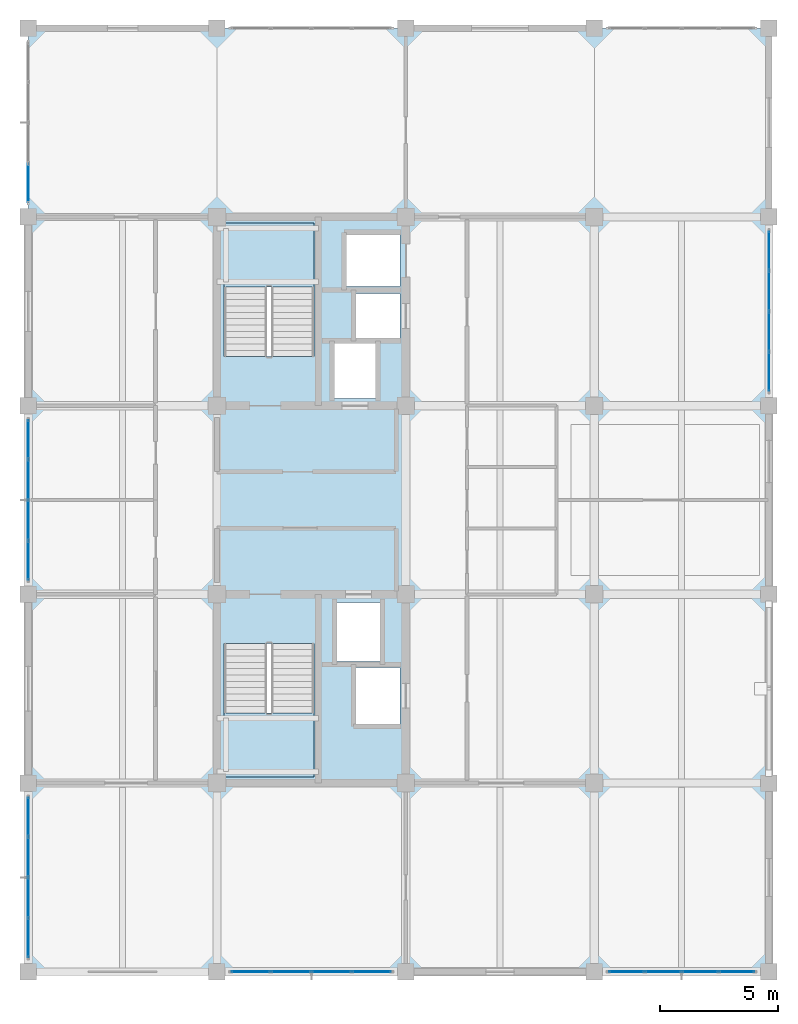
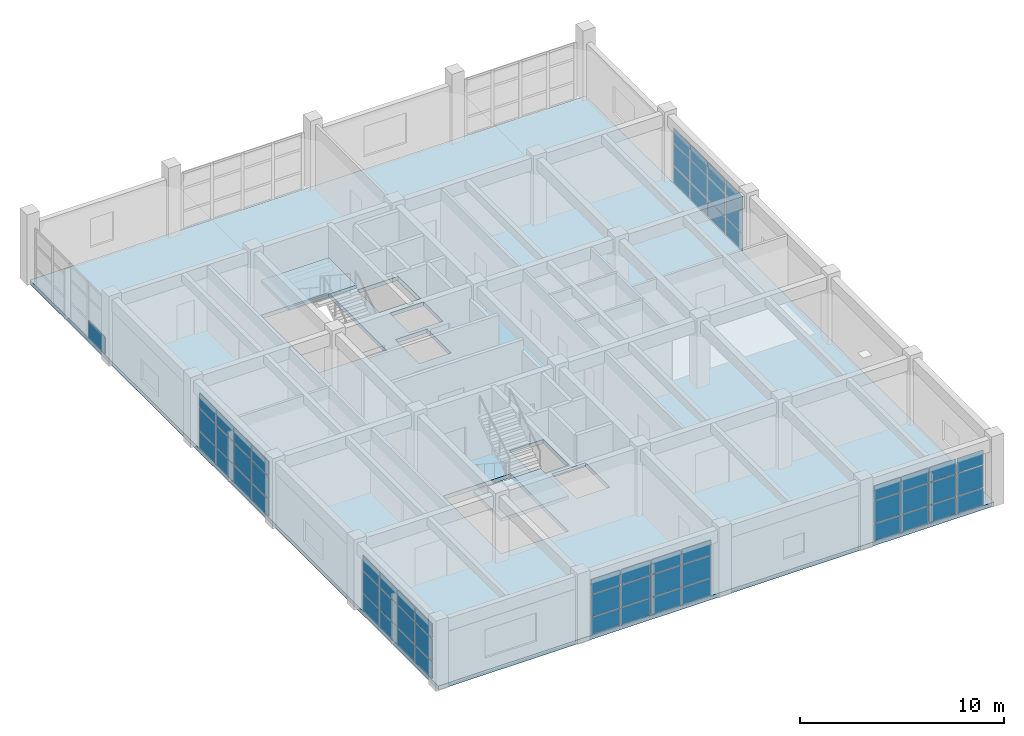
# One storey, part 13 of 19: 61 plates, 3 slabs, 8 elements without a shape of their own.
"""IFC4 building model written with IfcOpenShell, lengths in metres."""

from ifc_helpers import new_model, si_unit, direction, frame, origin, origin_2d, place, context, subcontext, project, spatial, polyline, rectangle, outline, extrude, material, layer, layer_set, type_object, element, aggregate, save


model = new_model("IFC4")

# Units and contexts
model_context = context("Model", 3, precision=1e-05, world=origin(), true_north=direction((0.0, 1.0)))
body_context = subcontext(model_context, "Body", "Model", "MODEL_VIEW")
ifc_project = project(units=[si_unit("LENGTHUNIT", "METRE"), si_unit("AREAUNIT", "SQUARE_METRE"), si_unit("VOLUMEUNIT", "CUBIC_METRE"), si_unit("PLANEANGLEUNIT", "RADIAN"), si_unit("MASSUNIT", "GRAM", prefix="KILO")], contexts=[model_context])

# Site, building, storey
site_placement = place(None, origin())
site = spatial("IfcSite", under=ifc_project, at=site_placement, CompositionType="ELEMENT")
building_placement = place(site_placement, origin())
building = spatial("IfcBuilding", under=site, at=building_placement, Name="Canggui Botanical Conservatory", CompositionType="ELEMENT")
storey_placement = place(building_placement, frame((0.0, 0.0, 44.39990234375)))
storey = spatial("IfcBuildingStorey", under=building, at=storey_placement, Name="L11", CompositionType="ELEMENT", Elevation=44.39990234375)

# Curtain wall, plates
ifc_material_1 = material(Name="Thermally Broken Aluminium", Category="aluminium")
ifc_layer_1 = layer(ifc_material_1, 0.1650390625, Name="Thermally Broken Aluminium", Category="aluminium")
ifc_layer_set_1 = layer_set([ifc_layer_1], Name="Thermally Broken Aluminium")
curtain_wall_type = type_object("IfcCurtainWallType", Name="CW-UNIT-B", PredefinedType="USERDEFINED", material=ifc_layer_set_1)
curtain_wall_1_placement = place(storey_placement, origin())
curtain_wall_1 = element("IfcCurtainWall", 1, at=curtain_wall_1_placement, inside=storey, type_object=curtain_wall_type, Name="Facade Curtain Wall CW-TWR-L11-01", ObjectType="UNITISED CURTAIN WALL", PredefinedType="USERDEFINED")
ifc_material_2 = material(Name="Low-E Insulated Glass", Category="glass")
ifc_layer_2 = layer(ifc_material_2, 0.030029296875, Name="Low-E Insulated Glass", Category="glass")
ifc_layer_set_2 = layer_set([ifc_layer_2], Name="Low-E Insulated Glass")
plate_type = type_object("IfcPlateType", Name="CWP-02", PredefinedType="CURTAIN_PANEL", material=ifc_layer_set_2)
plate_1_placement = place(storey_placement, frame((176.038818359375, 34.0, 0.06005859375), z_axis=(0.0, 0.0, 1.0), x_axis=(-1.0, 0.0, 0.0)))
plate_1 = element("IfcPlate", 2, at=plate_1_placement, type_object=plate_type, Name="CW-02 panel 1.1", PredefinedType="CURTAIN_PANEL", context=body_context, shape_type="SweptSolid", body=[
    extrude(rectangle(XDim=1.472412109375, YDim=0.030029296875, at=origin_2d()), origin(), (0.0, 0.0, 1.0), 0.998046875),
])
plate_2_placement = place(storey_placement, frame((176.038818359375, 34.0, 1.1181640625), z_axis=(0.0, 0.0, 1.0), x_axis=(-1.0, 0.0, 0.0)))
plate_2 = element("IfcPlate", 3, at=plate_2_placement, type_object=plate_type, Name="CW-02 panel 1.2", PredefinedType="CURTAIN_PANEL", context=body_context, shape_type="SweptSolid", body=[
    extrude(rectangle(XDim=1.472412109375, YDim=0.030029296875, at=origin_2d()), origin(), (0.0, 0.0, 1.0), 1.300048828125),
])
plate_3_placement = place(storey_placement, frame((176.038818359375, 34.0, 2.47802734375), z_axis=(0.0, 0.0, 1.0), x_axis=(-1.0, 0.0, 0.0)))
plate_3 = element("IfcPlate", 4, at=plate_3_placement, type_object=plate_type, Name="CW-02 panel 1.3", PredefinedType="CURTAIN_PANEL", context=body_context, shape_type="SweptSolid", body=[
    extrude(rectangle(XDim=1.472412109375, YDim=0.030029296875, at=origin_2d()), origin(), (0.0, 0.0, 1.0), 0.862060546875),
])
plate_4_placement = place(storey_placement, frame((174.485107421875, 34.0, 0.06005859375), z_axis=(0.0, 0.0, 1.0), x_axis=(-1.0, 0.0, 0.0)))
plate_4 = element("IfcPlate", 5, at=plate_4_placement, type_object=plate_type, Name="CW-02 panel 2.1", PredefinedType="CURTAIN_PANEL", context=body_context, shape_type="SweptSolid", body=[
    extrude(rectangle(XDim=1.5048828125, YDim=0.030029296875, at=origin_2d()), origin(), (0.0, 0.0, 1.0), 0.998046875),
])
plate_5_placement = place(storey_placement, frame((174.485107421875, 34.0, 1.1181640625), z_axis=(0.0, 0.0, 1.0), x_axis=(-1.0, 0.0, 0.0)))
plate_5 = element("IfcPlate", 6, at=plate_5_placement, type_object=plate_type, Name="CW-02 panel 2.2", PredefinedType="CURTAIN_PANEL", context=body_context, shape_type="SweptSolid", body=[
    extrude(rectangle(XDim=1.5048828125, YDim=0.030029296875, at=origin_2d()), origin(), (0.0, 0.0, 1.0), 1.300048828125),
])
plate_6_placement = place(storey_placement, frame((174.485107421875, 34.0, 2.47802734375), z_axis=(0.0, 0.0, 1.0), x_axis=(-1.0, 0.0, 0.0)))
plate_6 = element("IfcPlate", 7, at=plate_6_placement, type_object=plate_type, Name="CW-02 panel 2.3", PredefinedType="CURTAIN_PANEL", context=body_context, shape_type="SweptSolid", body=[
    extrude(rectangle(XDim=1.5048828125, YDim=0.030029296875, at=origin_2d()), origin(), (0.0, 0.0, 1.0), 0.862060546875),
])
plate_7_placement = place(storey_placement, frame((172.9150390625, 34.0, 0.06005859375), z_axis=(0.0, 0.0, 1.0), x_axis=(-1.0, 0.0, 0.0)))
plate_7 = element("IfcPlate", 8, at=plate_7_placement, type_object=plate_type, Name="CW-02 panel 3.1", PredefinedType="CURTAIN_PANEL", context=body_context, shape_type="SweptSolid", body=[
    extrude(rectangle(XDim=1.5048828125, YDim=0.030029296875, at=origin_2d()), origin(), (0.0, 0.0, 1.0), 0.998046875),
])
plate_8_placement = place(storey_placement, frame((172.9150390625, 34.0, 1.1181640625), z_axis=(0.0, 0.0, 1.0), x_axis=(-1.0, 0.0, 0.0)))
plate_8 = element("IfcPlate", 9, at=plate_8_placement, type_object=plate_type, Name="CW-02 panel 3.2", PredefinedType="CURTAIN_PANEL", context=body_context, shape_type="SweptSolid", body=[
    extrude(rectangle(XDim=1.5048828125, YDim=0.030029296875, at=origin_2d()), origin(), (0.0, 0.0, 1.0), 1.300048828125),
])
plate_9_placement = place(storey_placement, frame((172.9150390625, 34.0, 2.47802734375), z_axis=(0.0, 0.0, 1.0), x_axis=(-1.0, 0.0, 0.0)))
plate_9 = element("IfcPlate", 10, at=plate_9_placement, type_object=plate_type, Name="CW-02 panel 3.3", PredefinedType="CURTAIN_PANEL", context=body_context, shape_type="SweptSolid", body=[
    extrude(rectangle(XDim=1.5048828125, YDim=0.030029296875, at=origin_2d()), origin(), (0.0, 0.0, 1.0), 0.862060546875),
])
plate_10_placement = place(storey_placement, frame((171.361328125, 34.0, 0.06005859375), z_axis=(0.0, 0.0, 1.0), x_axis=(-1.0, 0.0, 0.0)))
plate_10 = element("IfcPlate", 11, at=plate_10_placement, type_object=plate_type, Name="CW-02 panel 4.1", PredefinedType="CURTAIN_PANEL", context=body_context, shape_type="SweptSolid", body=[
    extrude(rectangle(XDim=1.472412109375, YDim=0.030029296875, at=origin_2d()), origin(), (0.0, 0.0, 1.0), 0.998046875),
])
plate_11_placement = place(storey_placement, frame((171.361328125, 34.0, 1.1181640625), z_axis=(0.0, 0.0, 1.0), x_axis=(-1.0, 0.0, 0.0)))
plate_11 = element("IfcPlate", 12, at=plate_11_placement, type_object=plate_type, Name="CW-02 panel 4.2", PredefinedType="CURTAIN_PANEL", context=body_context, shape_type="SweptSolid", body=[
    extrude(rectangle(XDim=1.472412109375, YDim=0.030029296875, at=origin_2d()), origin(), (0.0, 0.0, 1.0), 1.300048828125),
])
plate_12_placement = place(storey_placement, frame((171.361328125, 34.0, 2.47802734375), z_axis=(0.0, 0.0, 1.0), x_axis=(-1.0, 0.0, 0.0)))
plate_12 = element("IfcPlate", 13, at=plate_12_placement, type_object=plate_type, Name="CW-02 panel 4.3", PredefinedType="CURTAIN_PANEL", context=body_context, shape_type="SweptSolid", body=[
    extrude(rectangle(XDim=1.472412109375, YDim=0.030029296875, at=origin_2d()), origin(), (0.0, 0.0, 1.0), 0.862060546875),
])
aggregate(curtain_wall_1, [plate_1, plate_2, plate_3, plate_4, plate_5, plate_6, plate_7, plate_8, plate_9, plate_10, plate_11, plate_12])

curtain_wall_2_placement = place(storey_placement, origin())
curtain_wall_2 = element("IfcCurtainWall", 14, at=curtain_wall_2_placement, inside=storey, type_object=curtain_wall_type, Name="Facade Curtain Wall CW-TWR-L11-03", ObjectType="UNITISED CURTAIN WALL", PredefinedType="USERDEFINED")
plate_13_placement = place(storey_placement, frame((160.563720703125, 34.0, 0.06005859375), z_axis=(0.0, 0.0, 1.0), x_axis=(-1.0, 0.0, 0.0)))
plate_13 = element("IfcPlate", 15, at=plate_13_placement, type_object=plate_type, Name="CW-02 panel 1.1", PredefinedType="CURTAIN_PANEL", context=body_context, shape_type="SweptSolid", body=[
    extrude(rectangle(XDim=1.62255859375, YDim=0.030029296875, at=origin_2d()), origin(), (0.0, 0.0, 1.0), 0.998046875),
])
plate_14_placement = place(storey_placement, frame((160.563720703125, 34.0, 1.1181640625), z_axis=(0.0, 0.0, 1.0), x_axis=(-1.0, 0.0, 0.0)))
plate_14 = element("IfcPlate", 16, at=plate_14_placement, type_object=plate_type, Name="CW-02 panel 1.2", PredefinedType="CURTAIN_PANEL", context=body_context, shape_type="SweptSolid", body=[
    extrude(rectangle(XDim=1.62255859375, YDim=0.030029296875, at=origin_2d()), origin(), (0.0, 0.0, 1.0), 1.300048828125),
])
plate_15_placement = place(storey_placement, frame((160.563720703125, 34.0, 2.47802734375), z_axis=(0.0, 0.0, 1.0), x_axis=(-1.0, 0.0, 0.0)))
plate_15 = element("IfcPlate", 17, at=plate_15_placement, type_object=plate_type, Name="CW-02 panel 1.3", PredefinedType="CURTAIN_PANEL", context=body_context, shape_type="SweptSolid", body=[
    extrude(rectangle(XDim=1.62255859375, YDim=0.030029296875, at=origin_2d()), origin(), (0.0, 0.0, 1.0), 0.862060546875),
])
plate_16_placement = place(storey_placement, frame((158.860107421875, 34.0, 0.06005859375), z_axis=(0.0, 0.0, 1.0), x_axis=(-1.0, 0.0, 0.0)))
plate_16 = element("IfcPlate", 18, at=plate_16_placement, type_object=plate_type, Name="CW-02 panel 2.1", PredefinedType="CURTAIN_PANEL", context=body_context, shape_type="SweptSolid", body=[
    extrude(rectangle(XDim=1.655029296875, YDim=0.030029296875, at=origin_2d()), origin(), (0.0, 0.0, 1.0), 0.998046875),
])
plate_17_placement = place(storey_placement, frame((158.860107421875, 34.0, 1.1181640625), z_axis=(0.0, 0.0, 1.0), x_axis=(-1.0, 0.0, 0.0)))
plate_17 = element("IfcPlate", 19, at=plate_17_placement, type_object=plate_type, Name="CW-02 panel 2.2", PredefinedType="CURTAIN_PANEL", context=body_context, shape_type="SweptSolid", body=[
    extrude(rectangle(XDim=1.655029296875, YDim=0.030029296875, at=origin_2d()), origin(), (0.0, 0.0, 1.0), 1.300048828125),
])
plate_18_placement = place(storey_placement, frame((158.860107421875, 34.0, 2.47802734375), z_axis=(0.0, 0.0, 1.0), x_axis=(-1.0, 0.0, 0.0)))
plate_18 = element("IfcPlate", 20, at=plate_18_placement, type_object=plate_type, Name="CW-02 panel 2.3", PredefinedType="CURTAIN_PANEL", context=body_context, shape_type="SweptSolid", body=[
    extrude(rectangle(XDim=1.655029296875, YDim=0.030029296875, at=origin_2d()), origin(), (0.0, 0.0, 1.0), 0.862060546875),
])
plate_19_placement = place(storey_placement, frame((157.139892578125, 34.0, 0.06005859375), z_axis=(0.0, 0.0, 1.0), x_axis=(-1.0, 0.0, 0.0)))
plate_19 = element("IfcPlate", 21, at=plate_19_placement, type_object=plate_type, Name="CW-02 panel 3.1", PredefinedType="CURTAIN_PANEL", context=body_context, shape_type="SweptSolid", body=[
    extrude(rectangle(XDim=1.655029296875, YDim=0.030029296875, at=origin_2d()), origin(), (0.0, 0.0, 1.0), 0.998046875),
])
plate_20_placement = place(storey_placement, frame((157.139892578125, 34.0, 1.1181640625), z_axis=(0.0, 0.0, 1.0), x_axis=(-1.0, 0.0, 0.0)))
plate_20 = element("IfcPlate", 22, at=plate_20_placement, type_object=plate_type, Name="CW-02 panel 3.2", PredefinedType="CURTAIN_PANEL", context=body_context, shape_type="SweptSolid", body=[
    extrude(rectangle(XDim=1.655029296875, YDim=0.030029296875, at=origin_2d()), origin(), (0.0, 0.0, 1.0), 1.300048828125),
])
plate_21_placement = place(storey_placement, frame((157.139892578125, 34.0, 2.47802734375), z_axis=(0.0, 0.0, 1.0), x_axis=(-1.0, 0.0, 0.0)))
plate_21 = element("IfcPlate", 23, at=plate_21_placement, type_object=plate_type, Name="CW-02 panel 3.3", PredefinedType="CURTAIN_PANEL", context=body_context, shape_type="SweptSolid", body=[
    extrude(rectangle(XDim=1.655029296875, YDim=0.030029296875, at=origin_2d()), origin(), (0.0, 0.0, 1.0), 0.862060546875),
])
plate_22_placement = place(storey_placement, frame((155.436279296875, 34.0, 0.06005859375), z_axis=(0.0, 0.0, 1.0), x_axis=(-1.0, 0.0, 0.0)))
plate_22 = element("IfcPlate", 24, at=plate_22_placement, type_object=plate_type, Name="CW-02 panel 4.1", PredefinedType="CURTAIN_PANEL", context=body_context, shape_type="SweptSolid", body=[
    extrude(rectangle(XDim=1.62255859375, YDim=0.030029296875, at=origin_2d()), origin(), (0.0, 0.0, 1.0), 0.998046875),
])
plate_23_placement = place(storey_placement, frame((155.436279296875, 34.0, 1.1181640625), z_axis=(0.0, 0.0, 1.0), x_axis=(-1.0, 0.0, 0.0)))
plate_23 = element("IfcPlate", 25, at=plate_23_placement, type_object=plate_type, Name="CW-02 panel 4.2", PredefinedType="CURTAIN_PANEL", context=body_context, shape_type="SweptSolid", body=[
    extrude(rectangle(XDim=1.62255859375, YDim=0.030029296875, at=origin_2d()), origin(), (0.0, 0.0, 1.0), 1.300048828125),
])
plate_24_placement = place(storey_placement, frame((155.436279296875, 34.0, 2.47802734375), z_axis=(0.0, 0.0, 1.0), x_axis=(-1.0, 0.0, 0.0)))
plate_24 = element("IfcPlate", 26, at=plate_24_placement, type_object=plate_type, Name="CW-02 panel 4.3", PredefinedType="CURTAIN_PANEL", context=body_context, shape_type="SweptSolid", body=[
    extrude(rectangle(XDim=1.62255859375, YDim=0.030029296875, at=origin_2d()), origin(), (0.0, 0.0, 1.0), 0.862060546875),
])
aggregate(curtain_wall_2, [plate_13, plate_14, plate_15, plate_16, plate_17, plate_18, plate_19, plate_20, plate_21, plate_22, plate_23, plate_24])

curtain_wall_3_placement = place(storey_placement, origin())
curtain_wall_3 = element("IfcCurtainWall", 27, at=curtain_wall_3_placement, inside=storey, type_object=curtain_wall_type, Name="Facade Curtain Wall CW-TWR-L11-05", ObjectType="UNITISED CURTAIN WALL", PredefinedType="USERDEFINED")
plate_25_placement = place(storey_placement, frame((146.0, 35.436279296875, 0.06005859375), z_axis=(0.0, 0.0, 1.0), x_axis=(0.0, 1.0, 0.0)))
plate_25 = element("IfcPlate", 28, at=plate_25_placement, type_object=plate_type, Name="CW-02 panel 1.1", PredefinedType="CURTAIN_PANEL", context=body_context, shape_type="SweptSolid", body=[
    extrude(rectangle(XDim=1.62255859375, YDim=0.030029296875, at=origin_2d()), origin(), (0.0, 0.0, 1.0), 0.998046875),
])
plate_26_placement = place(storey_placement, frame((146.0, 35.436279296875, 1.1181640625), z_axis=(0.0, 0.0, 1.0), x_axis=(0.0, 1.0, 0.0)))
plate_26 = element("IfcPlate", 29, at=plate_26_placement, type_object=plate_type, Name="CW-02 panel 1.2", PredefinedType="CURTAIN_PANEL", context=body_context, shape_type="SweptSolid", body=[
    extrude(rectangle(XDim=1.62255859375, YDim=0.030029296875, at=origin_2d()), origin(), (0.0, 0.0, 1.0), 1.300048828125),
])
plate_27_placement = place(storey_placement, frame((146.0, 35.436279296875, 2.47802734375), z_axis=(0.0, 0.0, 1.0), x_axis=(0.0, 1.0, 0.0)))
plate_27 = element("IfcPlate", 30, at=plate_27_placement, type_object=plate_type, Name="CW-02 panel 1.3", PredefinedType="CURTAIN_PANEL", context=body_context, shape_type="SweptSolid", body=[
    extrude(rectangle(XDim=1.62255859375, YDim=0.030029296875, at=origin_2d()), origin(), (0.0, 0.0, 1.0), 0.862060546875),
])
plate_28_placement = place(storey_placement, frame((146.0, 37.139892578125, 0.06005859375), z_axis=(0.0, 0.0, 1.0), x_axis=(0.0, 1.0, 0.0)))
plate_28 = element("IfcPlate", 31, at=plate_28_placement, type_object=plate_type, Name="CW-02 panel 2.1", PredefinedType="CURTAIN_PANEL", context=body_context, shape_type="SweptSolid", body=[
    extrude(rectangle(XDim=1.655029296875, YDim=0.030029296875, at=origin_2d()), origin(), (0.0, 0.0, 1.0), 0.998046875),
])
plate_29_placement = place(storey_placement, frame((146.0, 37.139892578125, 1.1181640625), z_axis=(0.0, 0.0, 1.0), x_axis=(0.0, 1.0, 0.0)))
plate_29 = element("IfcPlate", 32, at=plate_29_placement, type_object=plate_type, Name="CW-02 panel 2.2", PredefinedType="CURTAIN_PANEL", context=body_context, shape_type="SweptSolid", body=[
    extrude(rectangle(XDim=1.655029296875, YDim=0.030029296875, at=origin_2d()), origin(), (0.0, 0.0, 1.0), 1.300048828125),
])
plate_30_placement = place(storey_placement, frame((146.0, 37.139892578125, 2.47802734375), z_axis=(0.0, 0.0, 1.0), x_axis=(0.0, 1.0, 0.0)))
plate_30 = element("IfcPlate", 33, at=plate_30_placement, type_object=plate_type, Name="CW-02 panel 2.3", PredefinedType="CURTAIN_PANEL", context=body_context, shape_type="SweptSolid", body=[
    extrude(rectangle(XDim=1.655029296875, YDim=0.030029296875, at=origin_2d()), origin(), (0.0, 0.0, 1.0), 0.862060546875),
])
plate_31_placement = place(storey_placement, frame((146.0, 38.860107421875, 0.06005859375), z_axis=(0.0, 0.0, 1.0), x_axis=(0.0, 1.0, 0.0)))
plate_31 = element("IfcPlate", 34, at=plate_31_placement, type_object=plate_type, Name="CW-02 panel 3.1", PredefinedType="CURTAIN_PANEL", context=body_context, shape_type="SweptSolid", body=[
    extrude(rectangle(XDim=1.655029296875, YDim=0.030029296875, at=origin_2d()), origin(), (0.0, 0.0, 1.0), 0.998046875),
])
plate_32_placement = place(storey_placement, frame((146.0, 38.860107421875, 1.1181640625), z_axis=(0.0, 0.0, 1.0), x_axis=(0.0, 1.0, 0.0)))
plate_32 = element("IfcPlate", 35, at=plate_32_placement, type_object=plate_type, Name="CW-02 panel 3.2", PredefinedType="CURTAIN_PANEL", context=body_context, shape_type="SweptSolid", body=[
    extrude(rectangle(XDim=1.655029296875, YDim=0.030029296875, at=origin_2d()), origin(), (0.0, 0.0, 1.0), 1.300048828125),
])
plate_33_placement = place(storey_placement, frame((146.0, 38.860107421875, 2.47802734375), z_axis=(0.0, 0.0, 1.0), x_axis=(0.0, 1.0, 0.0)))
plate_33 = element("IfcPlate", 36, at=plate_33_placement, type_object=plate_type, Name="CW-02 panel 3.3", PredefinedType="CURTAIN_PANEL", context=body_context, shape_type="SweptSolid", body=[
    extrude(rectangle(XDim=1.655029296875, YDim=0.030029296875, at=origin_2d()), origin(), (0.0, 0.0, 1.0), 0.862060546875),
])
plate_34_placement = place(storey_placement, frame((146.0, 40.563720703125, 0.06005859375), z_axis=(0.0, 0.0, 1.0), x_axis=(0.0, 1.0, 0.0)))
plate_34 = element("IfcPlate", 37, at=plate_34_placement, type_object=plate_type, Name="CW-02 panel 4.1", PredefinedType="CURTAIN_PANEL", context=body_context, shape_type="SweptSolid", body=[
    extrude(rectangle(XDim=1.62255859375, YDim=0.030029296875, at=origin_2d()), origin(), (0.0, 0.0, 1.0), 0.998046875),
])
plate_35_placement = place(storey_placement, frame((146.0, 40.563720703125, 1.1181640625), z_axis=(0.0, 0.0, 1.0), x_axis=(0.0, 1.0, 0.0)))
plate_35 = element("IfcPlate", 38, at=plate_35_placement, type_object=plate_type, Name="CW-02 panel 4.2", PredefinedType="CURTAIN_PANEL", context=body_context, shape_type="SweptSolid", body=[
    extrude(rectangle(XDim=1.62255859375, YDim=0.030029296875, at=origin_2d()), origin(), (0.0, 0.0, 1.0), 1.300048828125),
])
plate_36_placement = place(storey_placement, frame((146.0, 40.563720703125, 2.47802734375), z_axis=(0.0, 0.0, 1.0), x_axis=(0.0, 1.0, 0.0)))
plate_36 = element("IfcPlate", 39, at=plate_36_placement, type_object=plate_type, Name="CW-02 panel 4.3", PredefinedType="CURTAIN_PANEL", context=body_context, shape_type="SweptSolid", body=[
    extrude(rectangle(XDim=1.62255859375, YDim=0.030029296875, at=origin_2d()), origin(), (0.0, 0.0, 1.0), 0.862060546875),
])
aggregate(curtain_wall_3, [plate_25, plate_26, plate_27, plate_28, plate_29, plate_30, plate_31, plate_32, plate_33, plate_34, plate_35, plate_36])

curtain_wall_4_placement = place(storey_placement, origin())
curtain_wall_4 = element("IfcCurtainWall", 40, at=curtain_wall_4_placement, inside=storey, type_object=curtain_wall_type, Name="Facade Curtain Wall CW-TWR-L11-07", ObjectType="UNITISED CURTAIN WALL", PredefinedType="USERDEFINED")
plate_37_placement = place(storey_placement, frame((146.0, 51.436279296875, 0.06005859375), z_axis=(0.0, 0.0, 1.0), x_axis=(0.0, 1.0, 0.0)))
plate_37 = element("IfcPlate", 41, at=plate_37_placement, type_object=plate_type, Name="CW-02 panel 1.1", PredefinedType="CURTAIN_PANEL", context=body_context, shape_type="SweptSolid", body=[
    extrude(rectangle(XDim=1.62255859375, YDim=0.030029296875, at=origin_2d()), origin(), (0.0, 0.0, 1.0), 0.998046875),
])
plate_38_placement = place(storey_placement, frame((146.0, 51.436279296875, 1.1181640625), z_axis=(0.0, 0.0, 1.0), x_axis=(0.0, 1.0, 0.0)))
plate_38 = element("IfcPlate", 42, at=plate_38_placement, type_object=plate_type, Name="CW-02 panel 1.2", PredefinedType="CURTAIN_PANEL", context=body_context, shape_type="SweptSolid", body=[
    extrude(rectangle(XDim=1.62255859375, YDim=0.030029296875, at=origin_2d()), origin(), (0.0, 0.0, 1.0), 1.300048828125),
])
plate_39_placement = place(storey_placement, frame((146.0, 51.436279296875, 2.47802734375), z_axis=(0.0, 0.0, 1.0), x_axis=(0.0, 1.0, 0.0)))
plate_39 = element("IfcPlate", 43, at=plate_39_placement, type_object=plate_type, Name="CW-02 panel 1.3", PredefinedType="CURTAIN_PANEL", context=body_context, shape_type="SweptSolid", body=[
    extrude(rectangle(XDim=1.62255859375, YDim=0.030029296875, at=origin_2d()), origin(), (0.0, 0.0, 1.0), 0.862060546875),
])
plate_40_placement = place(storey_placement, frame((146.0, 53.139892578125, 0.06005859375), z_axis=(0.0, 0.0, 1.0), x_axis=(0.0, 1.0, 0.0)))
plate_40 = element("IfcPlate", 44, at=plate_40_placement, type_object=plate_type, Name="CW-02 panel 2.1", PredefinedType="CURTAIN_PANEL", context=body_context, shape_type="SweptSolid", body=[
    extrude(rectangle(XDim=1.655029296875, YDim=0.030029296875, at=origin_2d()), origin(), (0.0, 0.0, 1.0), 0.998046875),
])
plate_41_placement = place(storey_placement, frame((146.0, 53.139892578125, 1.1181640625), z_axis=(0.0, 0.0, 1.0), x_axis=(0.0, 1.0, 0.0)))
plate_41 = element("IfcPlate", 45, at=plate_41_placement, type_object=plate_type, Name="CW-02 panel 2.2", PredefinedType="CURTAIN_PANEL", context=body_context, shape_type="SweptSolid", body=[
    extrude(rectangle(XDim=1.655029296875, YDim=0.030029296875, at=origin_2d()), origin(), (0.0, 0.0, 1.0), 1.300048828125),
])
plate_42_placement = place(storey_placement, frame((146.0, 53.139892578125, 2.47802734375), z_axis=(0.0, 0.0, 1.0), x_axis=(0.0, 1.0, 0.0)))
plate_42 = element("IfcPlate", 46, at=plate_42_placement, type_object=plate_type, Name="CW-02 panel 2.3", PredefinedType="CURTAIN_PANEL", context=body_context, shape_type="SweptSolid", body=[
    extrude(rectangle(XDim=1.655029296875, YDim=0.030029296875, at=origin_2d()), origin(), (0.0, 0.0, 1.0), 0.862060546875),
])
plate_43_placement = place(storey_placement, frame((146.0, 54.860107421875, 0.06005859375), z_axis=(0.0, 0.0, 1.0), x_axis=(0.0, 1.0, 0.0)))
plate_43 = element("IfcPlate", 47, at=plate_43_placement, type_object=plate_type, Name="CW-02 panel 3.1", PredefinedType="CURTAIN_PANEL", context=body_context, shape_type="SweptSolid", body=[
    extrude(rectangle(XDim=1.655029296875, YDim=0.030029296875, at=origin_2d()), origin(), (0.0, 0.0, 1.0), 0.998046875),
])
plate_44_placement = place(storey_placement, frame((146.0, 54.860107421875, 1.1181640625), z_axis=(0.0, 0.0, 1.0), x_axis=(0.0, 1.0, 0.0)))
plate_44 = element("IfcPlate", 48, at=plate_44_placement, type_object=plate_type, Name="CW-02 panel 3.2", PredefinedType="CURTAIN_PANEL", context=body_context, shape_type="SweptSolid", body=[
    extrude(rectangle(XDim=1.655029296875, YDim=0.030029296875, at=origin_2d()), origin(), (0.0, 0.0, 1.0), 1.300048828125),
])
plate_45_placement = place(storey_placement, frame((146.0, 54.860107421875, 2.47802734375), z_axis=(0.0, 0.0, 1.0), x_axis=(0.0, 1.0, 0.0)))
plate_45 = element("IfcPlate", 49, at=plate_45_placement, type_object=plate_type, Name="CW-02 panel 3.3", PredefinedType="CURTAIN_PANEL", context=body_context, shape_type="SweptSolid", body=[
    extrude(rectangle(XDim=1.655029296875, YDim=0.030029296875, at=origin_2d()), origin(), (0.0, 0.0, 1.0), 0.862060546875),
])
plate_46_placement = place(storey_placement, frame((146.0, 56.563720703125, 0.06005859375), z_axis=(0.0, 0.0, 1.0), x_axis=(0.0, 1.0, 0.0)))
plate_46 = element("IfcPlate", 50, at=plate_46_placement, type_object=plate_type, Name="CW-02 panel 4.1", PredefinedType="CURTAIN_PANEL", context=body_context, shape_type="SweptSolid", body=[
    extrude(rectangle(XDim=1.62255859375, YDim=0.030029296875, at=origin_2d()), origin(), (0.0, 0.0, 1.0), 0.998046875),
])
plate_47_placement = place(storey_placement, frame((146.0, 56.563720703125, 1.1181640625), z_axis=(0.0, 0.0, 1.0), x_axis=(0.0, 1.0, 0.0)))
plate_47 = element("IfcPlate", 51, at=plate_47_placement, type_object=plate_type, Name="CW-02 panel 4.2", PredefinedType="CURTAIN_PANEL", context=body_context, shape_type="SweptSolid", body=[
    extrude(rectangle(XDim=1.62255859375, YDim=0.030029296875, at=origin_2d()), origin(), (0.0, 0.0, 1.0), 1.300048828125),
])
plate_48_placement = place(storey_placement, frame((146.0, 56.563720703125, 2.47802734375), z_axis=(0.0, 0.0, 1.0), x_axis=(0.0, 1.0, 0.0)))
plate_48 = element("IfcPlate", 52, at=plate_48_placement, type_object=plate_type, Name="CW-02 panel 4.3", PredefinedType="CURTAIN_PANEL", context=body_context, shape_type="SweptSolid", body=[
    extrude(rectangle(XDim=1.62255859375, YDim=0.030029296875, at=origin_2d()), origin(), (0.0, 0.0, 1.0), 0.862060546875),
])
aggregate(curtain_wall_4, [plate_37, plate_38, plate_39, plate_40, plate_41, plate_42, plate_43, plate_44, plate_45, plate_46, plate_47, plate_48])

# Curtain wall, plate
curtain_wall_5_placement = place(storey_placement, origin())
curtain_wall_5 = element("IfcCurtainWall", 53, at=curtain_wall_5_placement, inside=storey, type_object=curtain_wall_type, Name="Facade Curtain Wall CW-TWR-L11-09", ObjectType="UNITISED CURTAIN WALL", PredefinedType="USERDEFINED")
plate_49_placement = place(storey_placement, frame((146.0, 67.436279296875, 0.06005859375), z_axis=(0.0, 0.0, 1.0), x_axis=(0.0, 1.0, 0.0)))
plate_49 = element("IfcPlate", 54, at=plate_49_placement, type_object=plate_type, Name="CW-02 panel 1.1", PredefinedType="CURTAIN_PANEL", context=body_context, shape_type="SweptSolid", body=[
    extrude(rectangle(XDim=1.62255859375, YDim=0.030029296875, at=origin_2d()), origin(), (0.0, 0.0, 1.0), 0.998046875),
])
aggregate(curtain_wall_5, [plate_49])

# Curtain wall, plates
curtain_wall_6_placement = place(storey_placement, origin())
curtain_wall_6 = element("IfcCurtainWall", 55, at=curtain_wall_6_placement, inside=storey, type_object=curtain_wall_type, Name="Facade Curtain Wall CW-TWR-L11-15", ObjectType="UNITISED CURTAIN WALL", PredefinedType="USERDEFINED")
plate_50_placement = place(storey_placement, frame((177.39990234375, 64.563720703125, 0.06005859375), z_axis=(0.0, 0.0, 1.0), x_axis=(0.0, -1.0, 0.0)))
plate_50 = element("IfcPlate", 56, at=plate_50_placement, type_object=plate_type, Name="CW-02 panel 1.1", PredefinedType="CURTAIN_PANEL", context=body_context, shape_type="SweptSolid", body=[
    extrude(rectangle(XDim=1.62255859375, YDim=0.030029296875, at=origin_2d()), origin(), (0.0, 0.0, 1.0), 0.998046875),
])
plate_51_placement = place(storey_placement, frame((177.39990234375, 64.563720703125, 1.1181640625), z_axis=(0.0, 0.0, 1.0), x_axis=(0.0, -1.0, 0.0)))
plate_51 = element("IfcPlate", 57, at=plate_51_placement, type_object=plate_type, Name="CW-02 panel 1.2", PredefinedType="CURTAIN_PANEL", context=body_context, shape_type="SweptSolid", body=[
    extrude(rectangle(XDim=1.62255859375, YDim=0.030029296875, at=origin_2d()), origin(), (0.0, 0.0, 1.0), 1.300048828125),
])
plate_52_placement = place(storey_placement, frame((177.39990234375, 64.563720703125, 2.47802734375), z_axis=(0.0, 0.0, 1.0), x_axis=(0.0, -1.0, 0.0)))
plate_52 = element("IfcPlate", 58, at=plate_52_placement, type_object=plate_type, Name="CW-02 panel 1.3", PredefinedType="CURTAIN_PANEL", context=body_context, shape_type="SweptSolid", body=[
    extrude(rectangle(XDim=1.62255859375, YDim=0.030029296875, at=origin_2d()), origin(), (0.0, 0.0, 1.0), 0.862060546875),
])
plate_53_placement = place(storey_placement, frame((177.39990234375, 62.860107421875, 0.06005859375), z_axis=(0.0, 0.0, 1.0), x_axis=(0.0, -1.0, 0.0)))
plate_53 = element("IfcPlate", 59, at=plate_53_placement, type_object=plate_type, Name="CW-02 panel 2.1", PredefinedType="CURTAIN_PANEL", context=body_context, shape_type="SweptSolid", body=[
    extrude(rectangle(XDim=1.655029296875, YDim=0.030029296875, at=origin_2d()), origin(), (0.0, 0.0, 1.0), 0.998046875),
])
plate_54_placement = place(storey_placement, frame((177.39990234375, 62.860107421875, 1.1181640625), z_axis=(0.0, 0.0, 1.0), x_axis=(0.0, -1.0, 0.0)))
plate_54 = element("IfcPlate", 60, at=plate_54_placement, type_object=plate_type, Name="CW-02 panel 2.2", PredefinedType="CURTAIN_PANEL", context=body_context, shape_type="SweptSolid", body=[
    extrude(rectangle(XDim=1.655029296875, YDim=0.030029296875, at=origin_2d()), origin(), (0.0, 0.0, 1.0), 1.300048828125),
])
plate_55_placement = place(storey_placement, frame((177.39990234375, 62.860107421875, 2.47802734375), z_axis=(0.0, 0.0, 1.0), x_axis=(0.0, -1.0, 0.0)))
plate_55 = element("IfcPlate", 61, at=plate_55_placement, type_object=plate_type, Name="CW-02 panel 2.3", PredefinedType="CURTAIN_PANEL", context=body_context, shape_type="SweptSolid", body=[
    extrude(rectangle(XDim=1.655029296875, YDim=0.030029296875, at=origin_2d()), origin(), (0.0, 0.0, 1.0), 0.862060546875),
])
plate_56_placement = place(storey_placement, frame((177.39990234375, 61.139892578125, 0.06005859375), z_axis=(0.0, 0.0, 1.0), x_axis=(0.0, -1.0, 0.0)))
plate_56 = element("IfcPlate", 62, at=plate_56_placement, type_object=plate_type, Name="CW-02 panel 3.1", PredefinedType="CURTAIN_PANEL", context=body_context, shape_type="SweptSolid", body=[
    extrude(rectangle(XDim=1.655029296875, YDim=0.030029296875, at=origin_2d()), origin(), (0.0, 0.0, 1.0), 0.998046875),
])
plate_57_placement = place(storey_placement, frame((177.39990234375, 61.139892578125, 1.1181640625), z_axis=(0.0, 0.0, 1.0), x_axis=(0.0, -1.0, 0.0)))
plate_57 = element("IfcPlate", 63, at=plate_57_placement, type_object=plate_type, Name="CW-02 panel 3.2", PredefinedType="CURTAIN_PANEL", context=body_context, shape_type="SweptSolid", body=[
    extrude(rectangle(XDim=1.655029296875, YDim=0.030029296875, at=origin_2d()), origin(), (0.0, 0.0, 1.0), 1.300048828125),
])
plate_58_placement = place(storey_placement, frame((177.39990234375, 61.139892578125, 2.47802734375), z_axis=(0.0, 0.0, 1.0), x_axis=(0.0, -1.0, 0.0)))
plate_58 = element("IfcPlate", 64, at=plate_58_placement, type_object=plate_type, Name="CW-02 panel 3.3", PredefinedType="CURTAIN_PANEL", context=body_context, shape_type="SweptSolid", body=[
    extrude(rectangle(XDim=1.655029296875, YDim=0.030029296875, at=origin_2d()), origin(), (0.0, 0.0, 1.0), 0.862060546875),
])
plate_59_placement = place(storey_placement, frame((177.39990234375, 59.436279296875, 0.06005859375), z_axis=(0.0, 0.0, 1.0), x_axis=(0.0, -1.0, 0.0)))
plate_59 = element("IfcPlate", 65, at=plate_59_placement, type_object=plate_type, Name="CW-02 panel 4.1", PredefinedType="CURTAIN_PANEL", context=body_context, shape_type="SweptSolid", body=[
    extrude(rectangle(XDim=1.62255859375, YDim=0.030029296875, at=origin_2d()), origin(), (0.0, 0.0, 1.0), 0.998046875),
])
plate_60_placement = place(storey_placement, frame((177.39990234375, 59.436279296875, 1.1181640625), z_axis=(0.0, 0.0, 1.0), x_axis=(0.0, -1.0, 0.0)))
plate_60 = element("IfcPlate", 66, at=plate_60_placement, type_object=plate_type, Name="CW-02 panel 4.2", PredefinedType="CURTAIN_PANEL", context=body_context, shape_type="SweptSolid", body=[
    extrude(rectangle(XDim=1.62255859375, YDim=0.030029296875, at=origin_2d()), origin(), (0.0, 0.0, 1.0), 1.300048828125),
])
plate_61_placement = place(storey_placement, frame((177.39990234375, 59.436279296875, 2.47802734375), z_axis=(0.0, 0.0, 1.0), x_axis=(0.0, -1.0, 0.0)))
plate_61 = element("IfcPlate", 67, at=plate_61_placement, type_object=plate_type, Name="CW-02 panel 4.3", PredefinedType="CURTAIN_PANEL", context=body_context, shape_type="SweptSolid", body=[
    extrude(rectangle(XDim=1.62255859375, YDim=0.030029296875, at=origin_2d()), origin(), (0.0, 0.0, 1.0), 0.862060546875),
])
aggregate(curtain_wall_6, [plate_50, plate_51, plate_52, plate_53, plate_54, plate_55, plate_56, plate_57, plate_58, plate_59, plate_60, plate_61])

# Slab
ifc_material_3 = material(Name="Concrete C35", Category="concrete")
ifc_layer_3 = layer(ifc_material_3, 0.239990234375, Name="Concrete C35", Category="concrete")
ifc_layer_set_3 = layer_set([ifc_layer_3], Name="Concrete C35")
slab_type_1 = type_object("IfcSlabType", Name="SLAB-F240", PredefinedType="FLOOR", material=ifc_layer_set_3)
slab_1_placement = place(storey_placement, frame((0.0, 0.0, -0.239990234375)))
element("IfcSlab", 68, at=slab_1_placement, inside=storey, type_object=slab_type_1, Name="Research Tower L11 Floor Slab", PredefinedType="FLOOR", context=body_context, shape_type="SweptSolid", body=[
    extrude(outline(polyline([(146.0, 34.0), (177.39990234375, 34.0), (177.39990234375, 74.0), (146.0, 74.0), (146.0, 34.0)]), holes=[polyline([(154.300048828125, 47.91943359375), (154.300048828125, 42.260009765625), (158.1201171875, 42.260009765625), (158.1201171875, 47.91943359375), (154.300048828125, 47.91943359375)]), polyline([(158.1201171875, 60.08056640625), (158.1201171875, 65.739990234375), (154.300048828125, 65.739990234375), (154.300048828125, 60.08056640625), (158.1201171875, 60.08056640625)]), polyline([(159.050048828125, 47.14990234375), (160.949951171875, 47.14990234375), (160.949951171875, 49.64990234375), (159.050048828125, 49.64990234375), (159.050048828125, 47.14990234375)]), polyline([(159.85009765625, 44.5), (161.75, 44.5), (161.75, 46.89990234375), (159.85009765625, 46.89990234375), (159.85009765625, 44.5)]), polyline([(158.949951171875, 58.300048828125), (160.75, 58.300048828125), (160.75, 60.64990234375), (158.949951171875, 60.64990234375), (158.949951171875, 58.300048828125)]), polyline([(159.85009765625, 60.85009765625), (161.75, 60.85009765625), (161.75, 62.75), (159.85009765625, 62.75), (159.85009765625, 60.85009765625)]), polyline([(159.449951171875, 63.050048828125), (161.75, 63.050048828125), (161.75, 65.25), (159.449951171875, 65.25), (159.449951171875, 63.050048828125)])]), origin(), (0.0, 0.0, 1.0), 0.239990234375),
])

# Stair, slab
stair_type = type_object("IfcStairType", Name="STR-TYPE-6", PredefinedType="HALF_TURN_STAIR", material=ifc_material_3)
stair_1_placement = place(storey_placement, origin())
stair_1 = element("IfcStair", 69, at=stair_1_placement, inside=storey, type_object=stair_type, Name="L11 Tower South Smoke-Proof Stair ST-T1", PredefinedType="HALF_TURN_STAIR")
ifc_layer_4 = layer(ifc_material_3, 0.199951171875, Name="Concrete C35", Category="concrete")
ifc_layer_set_4 = layer_set([ifc_layer_4], Name="Concrete C35")
slab_type_2 = type_object("IfcSlabType", Name="SLAB-LND-200", PredefinedType="LANDING", material=ifc_layer_set_4)
slab_2_placement = place(storey_placement, frame((0.0, 0.0, 1.900146484375)))
slab_2 = element("IfcSlab", 70, at=slab_2_placement, type_object=slab_type_2, Name="ST-T1 landing 1", PredefinedType="LANDING", context=body_context, shape_type="SweptSolid", body=[
    extrude(outline(polyline([(154.300048828125, 44.972412109375), (154.300048828125, 42.260009765625), (158.1201171875, 42.260009765625), (158.1201171875, 44.972412109375), (154.300048828125, 44.972412109375)])), origin(), (0.0, 0.0, 1.0), 0.199951171875),
])
aggregate(stair_1, [slab_2])

stair_2_placement = place(storey_placement, origin())
stair_2 = element("IfcStair", 71, at=stair_2_placement, inside=storey, type_object=stair_type, Name="L11 Tower North Smoke-Proof Stair ST-T2", PredefinedType="HALF_TURN_STAIR")
slab_3_placement = place(storey_placement, frame((0.0, 0.0, 1.900146484375)))
slab_3 = element("IfcSlab", 72, at=slab_3_placement, type_object=slab_type_2, Name="ST-T2 landing 1", PredefinedType="LANDING", context=body_context, shape_type="SweptSolid", body=[
    extrude(outline(polyline([(158.1201171875, 63.027587890625), (158.1201171875, 65.739990234375), (154.300048828125, 65.739990234375), (154.300048828125, 63.027587890625), (158.1201171875, 63.027587890625)])), origin(), (0.0, 0.0, 1.0), 0.199951171875),
])
aggregate(stair_2, [slab_3])

save(model, "model.ifc")
